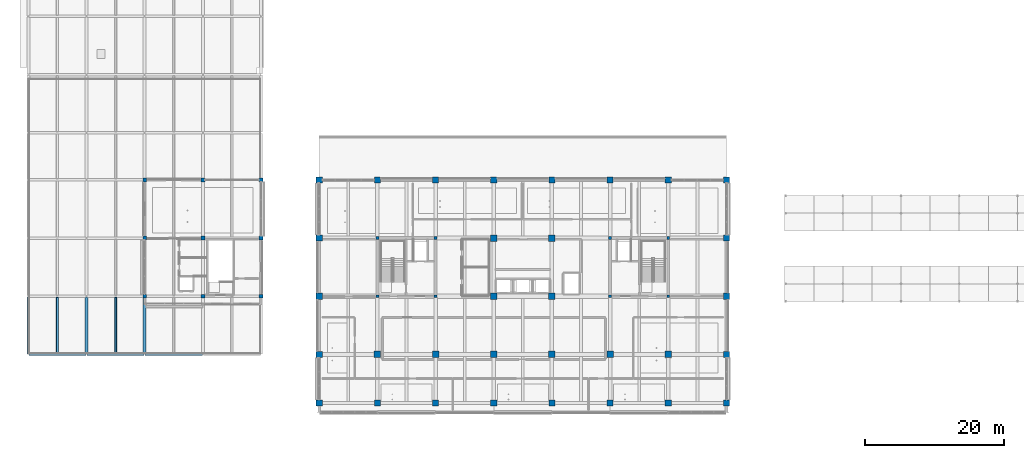
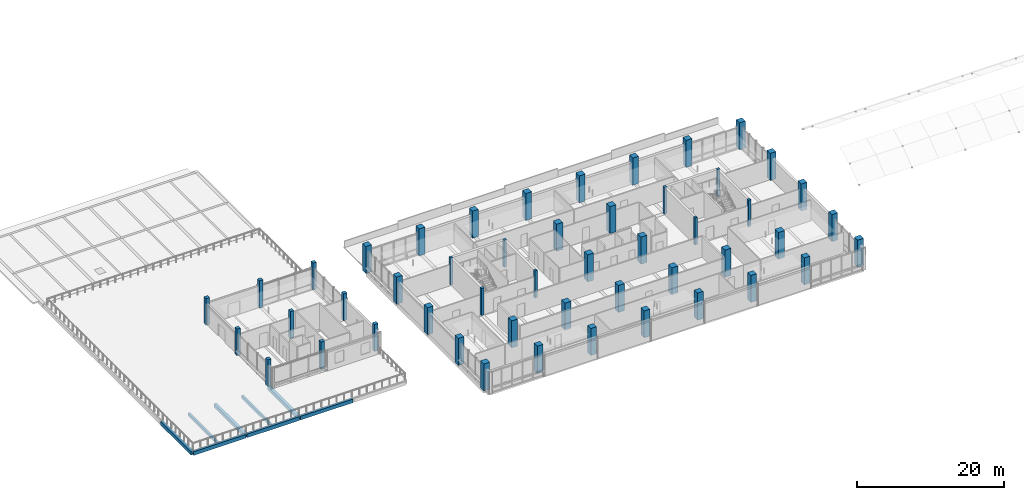
# One storey, part 1 of 59: 49 columns, 8 beams.
"""IFC4 building model written with IfcOpenShell, lengths in metres."""

import ifcopenshell
import ifcopenshell.guid

model = None  # the IFC model being written
_history = None  # IfcOwnerHistory: only IFC2X3 demands one
_inside = {}  # id of a spatial element -> (the spatial element, [elements in it])
_under = {}  # id of a project, library or spatial element -> (it, [spatial elements below it])
_declared = {}  # id of a project -> (the project, [libraries it declares])
_typed = {}  # id of a type object -> (the type object, [elements of that type])
_made_of = {}  # id of a material, layer set ... -> (it, [elements and type objects made of it])


def new_model(schema):
    """Start an empty IFC model of exactly this schema.

    Asked for "IFC4X3", IfcOpenShell would pick the latest addendum, in which some entities
    have other attributes; the version numbers below select the first issue.
    IFC2X3 requires an IfcOwnerHistory on every rooted entity: one is made here for all.
    """
    global model, _history
    if schema == "IFC4X3":
        model = ifcopenshell.file(schema_version=(4, 3, 0, 0))
    else:
        model = ifcopenshell.file(schema=schema)
    _inside.clear()
    _under.clear()
    _declared.clear()
    _typed.clear()
    _made_of.clear()
    _history = None
    if model.schema == "IFC2X3":
        org = make("IfcOrganization", Name="unknown")
        user = make(
            "IfcPersonAndOrganization",
            ThePerson=make("IfcPerson", FamilyName="unknown"),
            TheOrganization=org,
        )
        app = make(
            "IfcApplication",
            ApplicationDeveloper=org,
            Version="unknown",
            ApplicationFullName="unknown",
            ApplicationIdentifier="unknown",
        )
        _history = make(
            "IfcOwnerHistory",
            OwningUser=user,
            OwningApplication=app,
            ChangeAction="ADDED",
            CreationDate=0,
        )
    return model


def make(cls, **values):
    """One entity of the class cls with the attributes given. An attribute that is None is left unset."""
    return model.create_entity(
        cls, **{name: value for name, value in values.items() if value is not None}
    )


def rooted(cls, **values):
    """An entity with a GlobalId (a new one), such as an element, a storey or a relation."""
    return make(cls, GlobalId=ifcopenshell.guid.new(), OwnerHistory=_history, **values)


def si_unit(unit_type, name, prefix=None):
    """IfcSIUnit, for example si_unit("LENGTHUNIT", "METRE", prefix="MILLI")."""
    return make("IfcSIUnit", UnitType=unit_type, Prefix=prefix, Name=name)


def assignment(units):
    """IfcUnitAssignment: the units of a project."""
    return None if units is None else make("IfcUnitAssignment", Units=units)


def point(xyz):
    """IfcCartesianPoint."""
    return None if xyz is None else make("IfcCartesianPoint", Coordinates=xyz)


def direction(xyz):
    """IfcDirection."""
    return None if xyz is None else make("IfcDirection", DirectionRatios=xyz)


def frame(location, z_axis=None, x_axis=None):
    """IfcAxis2Placement3D, a coordinate frame: its origin and axes. An axis left out is left unset."""
    return make(
        "IfcAxis2Placement3D",
        Location=point(location),
        Axis=direction(z_axis),
        RefDirection=direction(x_axis),
    )


def frame_2d(location, x_axis=None):
    """IfcAxis2Placement2D, a coordinate frame in the plane: its origin and x axis."""
    return make(
        "IfcAxis2Placement2D", Location=point(location), RefDirection=direction(x_axis)
    )


def origin():
    """The frame at (0, 0, 0) with its axes left unset."""
    return frame((0.0, 0.0, 0.0))


def origin_2d():
    """The frame at (0, 0) in the plane with its x axis left unset."""
    return frame_2d((0.0, 0.0))


def place(relative_to, where):
    """IfcLocalPlacement: puts the frame where relative to a parent placement (None: the world)."""
    return make(
        "IfcLocalPlacement", PlacementRelTo=relative_to, RelativePlacement=where
    )


def context(
    kind, dimensions, precision=None, world=None, true_north=None, identifier=None
):
    """IfcGeometricRepresentationContext, for example the 3D "Model" context."""
    return make(
        "IfcGeometricRepresentationContext",
        ContextIdentifier=identifier,
        ContextType=kind,
        CoordinateSpaceDimension=dimensions,
        Precision=precision,
        WorldCoordinateSystem=world,
        TrueNorth=true_north,
    )


def subcontext(parent, identifier, kind, view, scale=None):
    """IfcGeometricRepresentationSubContext, for example "Body" below "Model"."""
    return make(
        "IfcGeometricRepresentationSubContext",
        ContextIdentifier=identifier,
        ContextType=kind,
        ParentContext=parent,
        TargetScale=scale,
        TargetView=view,
    )


def project(units=None, contexts=None):
    """IfcProject with its units and contexts."""
    return rooted(
        "IfcProject",
        Name="project",
        RepresentationContexts=contexts,
        UnitsInContext=assignment(units),
    )


def spatial(cls, under=None, at=None, **own):
    """A site, building, storey or space (cls), placed at a placement, below another one or the project."""
    s = rooted(cls, ObjectPlacement=at, **own)
    if under is not None:
        _under.setdefault(under.id(), (under, []))[1].append(s)
    return s


def profile(cls, at=None, kind="AREA", **sizes):
    """A parametric profile (cls). Its sizes go by their IFC names, for example OverallWidth=200.0."""
    return make(cls, ProfileType=kind, Position=at, **sizes)


def rectangle(**sizes):
    """IfcRectangleProfileDef."""
    return profile("IfcRectangleProfileDef", **sizes)


def extrude(swept, where, along, depth):
    """IfcExtrudedAreaSolid: the profile swept, set in the frame where, extruded along a direction by depth."""
    return make(
        "IfcExtrudedAreaSolid",
        SweptArea=swept,
        Position=where,
        ExtrudedDirection=direction(along),
        Depth=depth,
    )


def shape(context_of_items, identifier, shape_type, items):
    """IfcShapeRepresentation: the items that make up one representation, for example the "Body"."""
    return make(
        "IfcShapeRepresentation",
        ContextOfItems=context_of_items,
        RepresentationIdentifier=identifier,
        RepresentationType=shape_type,
        Items=items,
    )


def material(Name=None, Category=None):
    """IfcMaterial."""
    return make("IfcMaterial", Name=Name, Category=Category)


def material_profile(
    of_material, cross_section, Name=None, Category=None, Priority=None
):
    """IfcMaterialProfile: a cross section and its material."""
    return make(
        "IfcMaterialProfile",
        Name=Name,
        Material=of_material,
        Profile=cross_section,
        Priority=Priority,
        Category=Category,
    )


def profile_set(profiles, Name=None, composite=None):
    """IfcMaterialProfileSet."""
    return make(
        "IfcMaterialProfileSet",
        Name=Name,
        MaterialProfiles=profiles,
        CompositeProfile=composite,
    )


def made_of(thing, what):
    """Note that an element or type object is made of a material, layer set ...; save() writes the relation."""
    if what is not None:
        _made_of.setdefault(what.id(), (what, []))[1].append(thing)
    return thing


def type_object(cls, material=None, **own):
    """A type object (cls), such as IfcWallType, which elements share."""
    return made_of(rooted(cls, **own), material)


def element(
    cls,
    number,
    at=None,
    inside=None,
    cuts=None,
    type_object=None,
    material=None,
    context=None,
    identifier="Body",
    shape_type=None,
    held_by="IfcProductDefinitionShape",
    body=None,
    shapes=None,
    **own,
):
    """One element of the class cls, such as IfcWall. Its Tag is "e" and its number.

    at: its placement. inside: the storey or other place that contains it. cuts: it is an
    opening in that element (IfcRelVoidsElement). A single representation is given by context,
    identifier, shape_type and body (its items); several are given by shapes. held_by: the class
    of the entity that holds the representations. save() writes the other relations.
    """
    e = rooted(cls, Tag="e%d" % number, ObjectPlacement=at, **own)
    if body is not None:
        shapes = [shape(context, identifier, shape_type, body)]
    if shapes is not None:
        e.Representation = make(held_by, Representations=shapes)
    if inside is not None:
        _inside.setdefault(inside.id(), (inside, []))[1].append(e)
    if cuts is not None:
        rooted(
            "IfcRelVoidsElement", RelatingBuildingElement=cuts, RelatedOpeningElement=e
        )
    if type_object is not None:
        _typed.setdefault(type_object.id(), (type_object, []))[1].append(e)
    return made_of(e, material)


def aggregate(whole, parts):
    """IfcRelAggregates: a whole, such as a stair, and the parts it consists of."""
    return rooted("IfcRelAggregates", RelatingObject=whole, RelatedObjects=parts)


def save(model, path):
    """Write the relations noted so far, then the file.

    IfcRelAggregates (storeys below a building ...), IfcRelContainedInSpatialStructure (elements
    in a storey), IfcRelDefinesByType, IfcRelAssociatesMaterial and IfcRelDeclares: one each for
    every whole, place, type object, material and project.
    """
    for whole, parts in _under.values():
        aggregate(whole, parts)
    for where, things in _inside.values():
        rooted(
            "IfcRelContainedInSpatialStructure",
            RelatedElements=things,
            RelatingStructure=where,
        )
    for kind, things in _typed.values():
        rooted("IfcRelDefinesByType", RelatedObjects=things, RelatingType=kind)
    for what, things in _made_of.values():
        rooted("IfcRelAssociatesMaterial", RelatedObjects=things, RelatingMaterial=what)
    for by, libraries in _declared.values():
        rooted("IfcRelDeclares", RelatingContext=by, RelatedDefinitions=libraries)
    model.write(path)


model = new_model("IFC4")

# Units and contexts
model_context = context("Model", 3, precision=1e-05, world=origin(), true_north=direction((0.0, 1.0)))
body_context = subcontext(model_context, "Body", "Model", "MODEL_VIEW")
ifc_project = project(units=[si_unit("LENGTHUNIT", "METRE"), si_unit("AREAUNIT", "SQUARE_METRE"), si_unit("VOLUMEUNIT", "CUBIC_METRE"), si_unit("PLANEANGLEUNIT", "RADIAN"), si_unit("MASSUNIT", "GRAM", prefix="KILO")], contexts=[model_context])

# Site, building, storey
site_placement = place(None, origin())
site = spatial("IfcSite", under=ifc_project, at=site_placement, CompositionType="ELEMENT")
building_placement = place(site_placement, origin())
building = spatial("IfcBuilding", under=site, at=building_placement, Name="Telukmera Botanical Conservatory", CompositionType="ELEMENT")
storey_placement = place(building_placement, frame((0.0, 0.0, 15.0)))
storey = spatial("IfcBuildingStorey", under=building, at=storey_placement, Name="L03", CompositionType="ELEMENT", Elevation=15.0)

# Columns
ifc_material_1 = material(Name="Concrete C40/50", Category="concrete")
ifc_material_profile_1 = material_profile(ifc_material_1, rectangle(XDim=0.550048828125, YDim=0.550048828125, at=origin_2d()), Name="RC 550x550")
ifc_profile_set_1 = profile_set([ifc_material_profile_1], Name="Concrete C40/50")
column_type_1 = type_object("IfcColumnType", Name="Col_C12", PredefinedType="COLUMN", material=ifc_profile_set_1)
for number, where, z_axis, x_axis, name in (
    (1, (25.199951171875, 26.0, 0.0), (0.0, 0.0, 1.0), (1.0, 0.0, 0.0), "Column V3-L03 (25.2,26.0)"),
    (2, (25.199951171875, 34.39990234375, 0.0), (0.0, 0.0, 1.0), (1.0, 0.0, 0.0), "Column V3-L03 (25.2,34.4)"),
    (3, (25.199951171875, 42.800048828125, 0.0), (0.0, 0.0, 1.0), (1.0, 0.0, 0.0), "Column V3-L03 (25.2,42.8)"),
    (4, (33.60009765625, 26.0, 0.0), (0.0, 0.0, 1.0), (1.0, 0.0, 0.0), "Column V3-L03 (33.6,26.0)"),
    (5, (33.60009765625, 34.39990234375, 0.0), (0.0, 0.0, 1.0), (1.0, 0.0, 0.0), "Column V3-L03 (33.6,34.4)"),
    (6, (33.60009765625, 42.800048828125, 0.0), (0.0, 0.0, 1.0), (1.0, 0.0, 0.0), "Column V3-L03 (33.6,42.8)"),
    (7, (42.0, 26.0, 0.0), (0.0, 0.0, 1.0), (1.0, 0.0, 0.0), "Column V3-L03 (42.0,26.0)"),
    (8, (42.0, 34.39990234375, 0.0), (0.0, 0.0, 1.0), (1.0, 0.0, 0.0), "Column V3-L03 (42.0,34.4)"),
    (9, (42.0, 42.800048828125, 0.0), (0.0, 0.0, 1.0), (1.0, 0.0, 0.0), "Column V3-L03 (42.0,42.8)"),
):
    element("IfcColumn", number, at=place(storey_placement, frame(where, z_axis=z_axis, x_axis=x_axis)), inside=storey, type_object=column_type_1, Name=name, PredefinedType="COLUMN", context=body_context, shape_type="SweptSolid", body=[
        extrude(rectangle(XDim=0.550048828125, YDim=0.550048828125, at=origin_2d()), origin(), (0.0, 0.0, 1.0), 4.5),
    ])
ifc_material_2 = material(Name="Concrete C50/60", Category="concrete")
ifc_material_profile_2 = material_profile(ifc_material_2, rectangle(XDim=0.39990234375, YDim=0.39990234375, at=origin_2d()), Name="RC 400x400")
ifc_profile_set_2 = profile_set([ifc_material_profile_2], Name="Concrete C50/60")
column_type_2 = type_object("IfcColumnType", Name="Col_C14", PredefinedType="COLUMN", material=ifc_profile_set_2)
for number, where, z_axis, x_axis, name in (
    (10, (58.800048828125, 26.0, 0.0), (0.0, 0.0, 1.0), (1.0, 0.0, 0.0), "Column V4-L03 (58.8,26.0)"),
    (11, (58.800048828125, 34.39990234375, 0.0), (0.0, 0.0, 1.0), (1.0, 0.0, 0.0), "Column V4-L03 (58.8,34.4)"),
    (12, (67.199951171875, 26.0, 0.0), (0.0, 0.0, 1.0), (1.0, 0.0, 0.0), "Column V4-L03 (67.2,26.0)"),
    (13, (67.199951171875, 34.39990234375, 0.0), (0.0, 0.0, 1.0), (1.0, 0.0, 0.0), "Column V4-L03 (67.2,34.4)"),
    (14, (92.39990234375, 26.0, 0.0), (0.0, 0.0, 1.0), (1.0, 0.0, 0.0), "Column V4-L03 (92.4,26.0)"),
    (15, (92.39990234375, 34.39990234375, 0.0), (0.0, 0.0, 1.0), (1.0, 0.0, 0.0), "Column V4-L03 (92.4,34.4)"),
    (16, (100.800048828125, 26.0, 0.0), (0.0, 0.0, 1.0), (1.0, 0.0, 0.0), "Column V4-L03 (100.8,26.0)"),
    (17, (100.800048828125, 34.39990234375, 0.0), (0.0, 0.0, 1.0), (1.0, 0.0, 0.0), "Column V4-L03 (100.8,34.4)"),
):
    element("IfcColumn", number, at=place(storey_placement, frame(where, z_axis=z_axis, x_axis=x_axis)), inside=storey, type_object=column_type_2, Name=name, PredefinedType="COLUMN", context=body_context, shape_type="SweptSolid", body=[
        extrude(rectangle(XDim=0.39990234375, YDim=0.39990234375, at=origin_2d()), origin(), (0.0, 0.0, 1.0), 4.5),
    ])
ifc_material_profile_3 = material_profile(ifc_material_2, rectangle(XDim=0.949951171875, YDim=0.949951171875, at=origin_2d()), Name="RC 950x950")
ifc_profile_set_3 = profile_set([ifc_material_profile_3], Name="Concrete C50/60")
column_type_3 = type_object("IfcColumnType", Name="Col_C4", PredefinedType="COLUMN", material=ifc_profile_set_3)
for number, where, z_axis, x_axis, name in (
    (18, (58.800048828125, 17.60009765625, 0.0), (0.0, 0.0, 1.0), (1.0, 0.0, 0.0), "Column V4-L03 (58.8,17.6)"),
    (19, (67.199951171875, 17.60009765625, 0.0), (0.0, 0.0, 1.0), (1.0, 0.0, 0.0), "Column V4-L03 (67.2,17.6)"),
    (20, (75.60009765625, 17.60009765625, 0.0), (0.0, 0.0, 1.0), (1.0, 0.0, 0.0), "Column V4-L03 (75.6,17.6)"),
    (21, (75.60009765625, 26.0, 0.0), (0.0, 0.0, 1.0), (1.0, 0.0, 0.0), "Column V4-L03 (75.6,26.0)"),
    (22, (75.60009765625, 34.39990234375, 0.0), (0.0, 0.0, 1.0), (1.0, 0.0, 0.0), "Column V4-L03 (75.6,34.4)"),
    (23, (84.0, 17.60009765625, 0.0), (0.0, 0.0, 1.0), (1.0, 0.0, 0.0), "Column V4-L03 (84.0,17.6)"),
    (24, (84.0, 26.0, 0.0), (0.0, 0.0, 1.0), (1.0, 0.0, 0.0), "Column V4-L03 (84.0,26.0)"),
    (25, (84.0, 34.39990234375, 0.0), (0.0, 0.0, 1.0), (1.0, 0.0, 0.0), "Column V4-L03 (84.0,34.4)"),
    (26, (92.39990234375, 17.60009765625, 0.0), (0.0, 0.0, 1.0), (1.0, 0.0, 0.0), "Column V4-L03 (92.4,17.6)"),
    (27, (100.800048828125, 17.60009765625, 0.0), (0.0, 0.0, 1.0), (1.0, 0.0, 0.0), "Column V4-L03 (100.8,17.6)"),
):
    element("IfcColumn", number, at=place(storey_placement, frame(where, z_axis=z_axis, x_axis=x_axis)), inside=storey, type_object=column_type_3, Name=name, PredefinedType="COLUMN", context=body_context, shape_type="SweptSolid", body=[
        extrude(rectangle(XDim=0.949951171875, YDim=0.949951171875, at=origin_2d()), origin(), (0.0, 0.0, 1.0), 4.5),
    ])
ifc_material_profile_4 = material_profile(ifc_material_2, rectangle(XDim=0.89990234375, YDim=0.89990234375, at=origin_2d()), Name="RC 900x900")
ifc_profile_set_4 = profile_set([ifc_material_profile_4], Name="Concrete C50/60")
column_type_4 = type_object("IfcColumnType", Name="Col_C5", PredefinedType="COLUMN", material=ifc_profile_set_4)
for number, where, z_axis, x_axis, name in (
    (28, (50.39990234375, 10.60009765625, 0.0), (0.0, 0.0, 1.0), (1.0, 0.0, 0.0), "Column V4-L03 (50.4,10.6)"),
    (29, (50.39990234375, 17.60009765625, 0.0), (0.0, 0.0, 1.0), (1.0, 0.0, 0.0), "Column V4-L03 (50.4,17.6)"),
    (30, (50.39990234375, 26.0, 0.0), (0.0, 0.0, 1.0), (1.0, 0.0, 0.0), "Column V4-L03 (50.4,26.0)"),
    (31, (50.39990234375, 34.39990234375, 0.0), (0.0, 0.0, 1.0), (1.0, 0.0, 0.0), "Column V4-L03 (50.4,34.4)"),
    (32, (50.39990234375, 42.800048828125, 0.0), (0.0, 0.0, 1.0), (1.0, 0.0, 0.0), "Column V4-L03 (50.4,42.8)"),
    (33, (58.800048828125, 10.60009765625, 0.0), (0.0, 0.0, 1.0), (1.0, 0.0, 0.0), "Column V4-L03 (58.8,10.6)"),
    (34, (58.800048828125, 42.800048828125, 0.0), (0.0, 0.0, 1.0), (1.0, 0.0, 0.0), "Column V4-L03 (58.8,42.8)"),
    (35, (67.199951171875, 10.60009765625, 0.0), (0.0, 0.0, 1.0), (1.0, 0.0, 0.0), "Column V4-L03 (67.2,10.6)"),
    (36, (67.199951171875, 42.800048828125, 0.0), (0.0, 0.0, 1.0), (1.0, 0.0, 0.0), "Column V4-L03 (67.2,42.8)"),
    (37, (75.60009765625, 10.60009765625, 0.0), (0.0, 0.0, 1.0), (1.0, 0.0, 0.0), "Column V4-L03 (75.6,10.6)"),
    (38, (75.60009765625, 42.800048828125, 0.0), (0.0, 0.0, 1.0), (1.0, 0.0, 0.0), "Column V4-L03 (75.6,42.8)"),
    (39, (84.0, 10.60009765625, 0.0), (0.0, 0.0, 1.0), (1.0, 0.0, 0.0), "Column V4-L03 (84.0,10.6)"),
    (40, (84.0, 42.800048828125, 0.0), (0.0, 0.0, 1.0), (1.0, 0.0, 0.0), "Column V4-L03 (84.0,42.8)"),
    (41, (92.39990234375, 10.60009765625, 0.0), (0.0, 0.0, 1.0), (1.0, 0.0, 0.0), "Column V4-L03 (92.4,10.6)"),
    (42, (92.39990234375, 42.800048828125, 0.0), (0.0, 0.0, 1.0), (1.0, 0.0, 0.0), "Column V4-L03 (92.4,42.8)"),
    (43, (100.800048828125, 10.60009765625, 0.0), (0.0, 0.0, 1.0), (1.0, 0.0, 0.0), "Column V4-L03 (100.8,10.6)"),
    (44, (100.800048828125, 42.800048828125, 0.0), (0.0, 0.0, 1.0), (1.0, 0.0, 0.0), "Column V4-L03 (100.8,42.8)"),
    (45, (109.199951171875, 10.60009765625, 0.0), (0.0, 0.0, 1.0), (1.0, 0.0, 0.0), "Column V4-L03 (109.2,10.6)"),
    (46, (109.199951171875, 17.60009765625, 0.0), (0.0, 0.0, 1.0), (1.0, 0.0, 0.0), "Column V4-L03 (109.2,17.6)"),
    (47, (109.199951171875, 26.0, 0.0), (0.0, 0.0, 1.0), (1.0, 0.0, 0.0), "Column V4-L03 (109.2,26.0)"),
    (48, (109.199951171875, 34.39990234375, 0.0), (0.0, 0.0, 1.0), (1.0, 0.0, 0.0), "Column V4-L03 (109.2,34.4)"),
    (49, (109.199951171875, 42.800048828125, 0.0), (0.0, 0.0, 1.0), (1.0, 0.0, 0.0), "Column V4-L03 (109.2,42.8)"),
):
    element("IfcColumn", number, at=place(storey_placement, frame(where, z_axis=z_axis, x_axis=x_axis)), inside=storey, type_object=column_type_4, Name=name, PredefinedType="COLUMN", context=body_context, shape_type="SweptSolid", body=[
        extrude(rectangle(XDim=0.89990234375, YDim=0.89990234375, at=origin_2d()), origin(), (0.0, 0.0, 1.0), 4.5),
    ])

# Beams
ifc_material_profile_5 = material_profile(ifc_material_1, rectangle(XDim=0.449951171875, YDim=0.60009765625, at=origin_2d()), Name="RC 450x600")
ifc_profile_set_5 = profile_set([ifc_material_profile_5], Name="Concrete C40/50")
beam_type_1 = type_object("IfcBeamType", Name="Beam_B17", PredefinedType="BEAM", material=ifc_profile_set_5)
for number, where, z_axis, x_axis, name in (
    (50, (8.39990234375, 17.679931640625, -0.300048828125), (0.0, 1.0, 0.0), (-1.0, 0.0, 0.0), "Visitor Wing Transverse Beam L03"),
    (51, (16.800048828125, 17.679931640625, -0.300048828125), (0.0, 1.0, 0.0), (-1.0, 0.0, 0.0), "Visitor Wing Transverse Beam L03"),
    (52, (25.199951171875, 17.679931640625, -0.300048828125), (0.0, 1.0, 0.0), (-1.0, 0.0, 0.0), "Visitor Wing Transverse Beam L03"),
):
    element("IfcBeam", number, at=place(storey_placement, frame(where, z_axis=z_axis, x_axis=x_axis)), inside=storey, type_object=beam_type_1, Name=name, PredefinedType="BEAM", context=body_context, shape_type="SweptSolid", body=[
        extrude(rectangle(XDim=0.449951171875, YDim=0.60009765625, at=origin_2d()), origin(), (0.0, 0.0, 1.0), 8.239990234375),
    ])
ifc_material_profile_6 = material_profile(ifc_material_1, rectangle(XDim=0.280029296875, YDim=0.5, at=origin_2d()), Name="RC 280x500")
ifc_profile_set_6 = profile_set([ifc_material_profile_6], Name="Concrete C40/50")
beam_type_2 = type_object("IfcBeamType", Name="Beam_B26", PredefinedType="JOIST", material=ifc_profile_set_6)
for number, where, z_axis, x_axis, name in (
    (53, (12.60009765625, 17.77490234375, -0.25), (0.0, 1.0, 0.0), (-1.0, 0.0, 0.0), "Visitor Wing Floor Joist L03"),
    (54, (21.0, 17.77490234375, -0.25), (0.0, 1.0, 0.0), (-1.0, 0.0, 0.0), "Visitor Wing Floor Joist L03"),
):
    element("IfcBeam", number, at=place(storey_placement, frame(where, z_axis=z_axis, x_axis=x_axis)), inside=storey, type_object=beam_type_2, Name=name, PredefinedType="JOIST", context=body_context, shape_type="SweptSolid", body=[
        extrude(rectangle(XDim=0.280029296875, YDim=0.5, at=origin_2d()), origin(), (0.0, 0.0, 1.0), 8.050048828125),
    ])
ifc_material_profile_7 = material_profile(ifc_material_1, rectangle(XDim=0.35009765625, YDim=0.60009765625, at=origin_2d()), Name="RC 350x600")
ifc_profile_set_7 = profile_set([ifc_material_profile_7], Name="Concrete C40/50")
beam_type_3 = type_object("IfcBeamType", Name="Beam_B9", PredefinedType="BEAM", material=ifc_profile_set_7)
beam_1_placement = place(storey_placement, frame((8.47998046875, 17.60009765625, -0.300048828125), z_axis=(1.0, 0.0, 0.0), x_axis=(0.0, 1.0, 0.0)))
element("IfcBeam", 55, at=beam_1_placement, inside=storey, type_object=beam_type_3, Name="Visitor Wing Grid Beam L03", PredefinedType="BEAM", context=body_context, shape_type="SweptSolid", body=[
    extrude(rectangle(XDim=0.35009765625, YDim=0.60009765625, at=origin_2d()), origin(), (0.0, 0.0, 1.0), 8.239990234375),
])
beam_2_placement = place(storey_placement, frame((16.8798828125, 17.60009765625, -0.300048828125), z_axis=(1.0, 0.0, 0.0), x_axis=(0.0, 1.0, 0.0)))
element("IfcBeam", 56, at=beam_2_placement, inside=storey, type_object=beam_type_3, Name="Visitor Wing Grid Beam L03", PredefinedType="BEAM", context=body_context, shape_type="SweptSolid", body=[
    extrude(rectangle(XDim=0.35009765625, YDim=0.60009765625, at=origin_2d()), origin(), (0.0, 0.0, 1.0), 8.240234375),
])
beam_3_placement = place(storey_placement, frame((25.280029296875, 17.60009765625, -0.300048828125), z_axis=(1.0, 0.0, 0.0), x_axis=(0.0, 1.0, 0.0)))
element("IfcBeam", 57, at=beam_3_placement, inside=storey, type_object=beam_type_3, Name="Visitor Wing Grid Beam L03", PredefinedType="BEAM", context=body_context, shape_type="SweptSolid", body=[
    extrude(rectangle(XDim=0.35009765625, YDim=0.60009765625, at=origin_2d()), origin(), (0.0, 0.0, 1.0), 8.239990234375),
])

save(model, "model.ifc")
